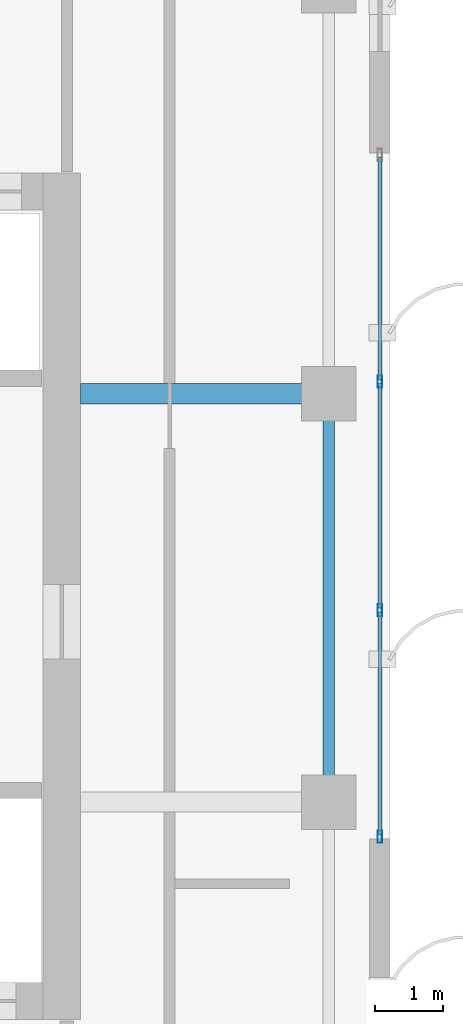
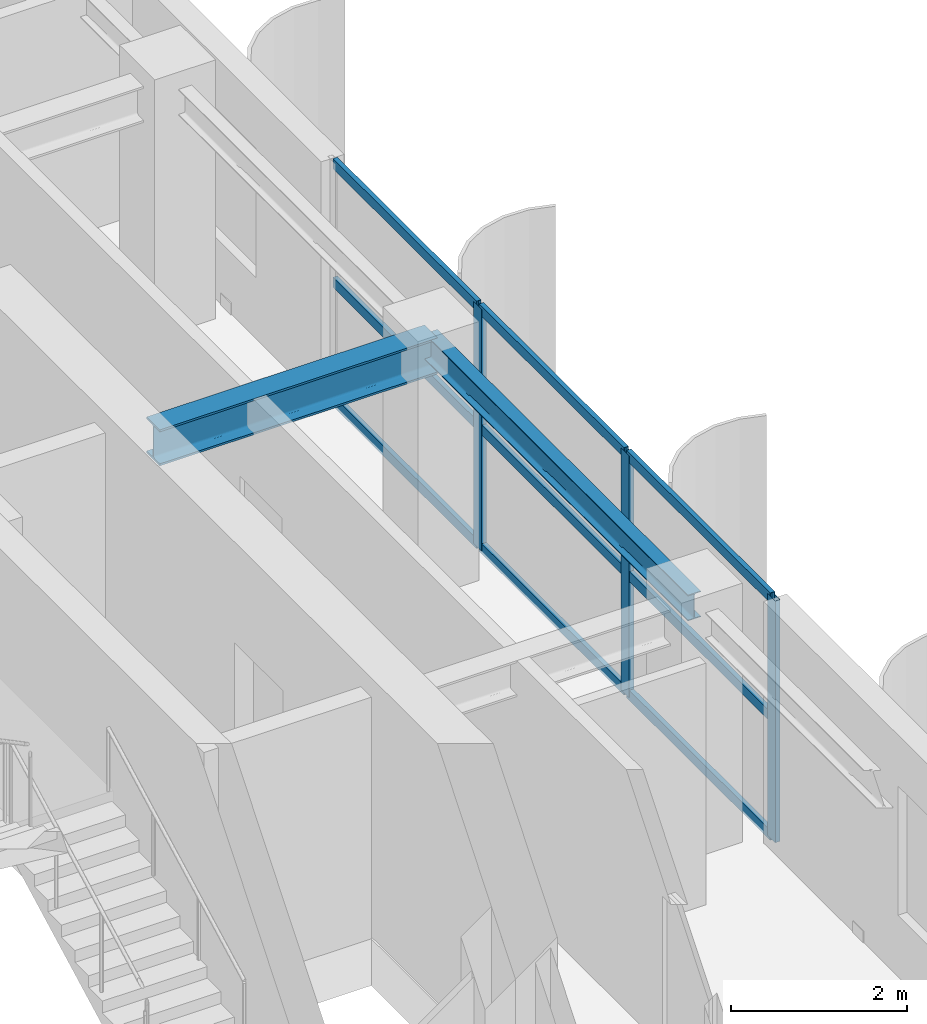
# One storey, part 12 of 24: 12 members, 2 beams, 1 element without a shape of its own.
"""IFC4 building model written with IfcOpenShell, lengths in metres."""

from ifc_helpers import new_model, si_unit, direction, frame, origin, origin_2d, place, context, subcontext, project, spatial, hollow_rectangle, i_section, extrude, source, transform, mapped, material, layer, layer_set, material_profile, profile_set, type_object, element, aggregate, save


model = new_model("IFC4")

# Units and contexts
model_context = context("Model", 3, precision=1e-05, world=origin(), true_north=direction((0.0, 1.0)))
body_context = subcontext(model_context, "Body", "Model", "MODEL_VIEW")
ifc_project = project(units=[si_unit("LENGTHUNIT", "METRE"), si_unit("AREAUNIT", "SQUARE_METRE"), si_unit("VOLUMEUNIT", "CUBIC_METRE"), si_unit("PLANEANGLEUNIT", "RADIAN"), si_unit("MASSUNIT", "GRAM", prefix="KILO")], contexts=[model_context])

# Site, building, storey
site_placement = place(None, origin())
site = spatial("IfcSite", under=ifc_project, at=site_placement, CompositionType="ELEMENT")
building_placement = place(site_placement, origin())
building = spatial("IfcBuilding", under=site, at=building_placement, Name="Khoralis Quay Care Tower", CompositionType="ELEMENT")
storey_placement = place(building_placement, frame((0.0, 0.0, 227.699951171875)))
storey = spatial("IfcBuildingStorey", under=building, at=storey_placement, Name="L59", CompositionType="ELEMENT", Elevation=227.699951171875)

# Beams
ifc_material_1 = material(Name="Steel S355", Category="steel")
ifc_material_profile_1 = material_profile(ifc_material_1, i_section(OverallWidth=0.169921875, OverallDepth=0.360107421875, WebThickness=0.008056640625, FlangeThickness=0.0126953125, FilletRadius=0.01806640625, at=origin_2d()), Name="Steel S355")
ifc_profile_set_1 = profile_set([ifc_material_profile_1], Name="Steel S355")
beam_type_1 = type_object("IfcBeamType", Name="BM-IPE360", PredefinedType="SPANDREL", material=ifc_profile_set_1)
shared_shape_1 = source(origin(), body_context, "Body", "SweptSolid", [
    extrude(i_section(OverallWidth=0.169921875, OverallDepth=0.360107421875, WebThickness=0.008056640625, FlangeThickness=0.0126953125, FilletRadius=0.01806640625, at=origin_2d()), origin(), (0.0, 0.0, 1.0), 6.0),
])
beam_1_placement = place(storey_placement, frame((41.10009765625, 18.0, 3.179931640625), z_axis=(0.0, 1.0, 0.0), x_axis=(-1.0, 0.0, 0.0)))
element("IfcBeam", 1, at=beam_1_placement, inside=storey, type_object=beam_type_1, Name="BM-TSP-L59-10", PredefinedType="SPANDREL", context=body_context, shape_type="MappedRepresentation", body=[
    mapped(shared_shape_1, transform((0.0, 0.0, 0.0), scale=1.0)),
])
ifc_material_profile_2 = material_profile(ifc_material_1, i_section(OverallWidth=0.300048828125, OverallDepth=0.5, WebThickness=0.014404296875, FlangeThickness=0.028076171875, FilletRadius=0.027099609375, at=origin_2d()), Name="Steel S355")
ifc_profile_set_2 = profile_set([ifc_material_profile_2], Name="Steel S355")
beam_type_2 = type_object("IfcBeamType", Name="BM-HEB500", PredefinedType="BEAM", material=ifc_profile_set_2)
shared_shape_2 = source(origin(), body_context, "Body", "SweptSolid", [
    extrude(i_section(OverallWidth=0.300048828125, OverallDepth=0.5, WebThickness=0.014404296875, FlangeThickness=0.028076171875, FilletRadius=0.027099609375, at=origin_2d()), origin(), (0.0, 0.0, 1.0), 3.652099609375),
])
beam_2_placement = place(storey_placement, frame((37.447998046875, 24.0, 3.110107421875), z_axis=(1.0, 0.0, 0.0), x_axis=(0.0, 1.0, 0.0)))
element("IfcBeam", 2, at=beam_2_placement, inside=storey, type_object=beam_type_2, Name="BM-TGXE-L59-240", PredefinedType="BEAM", context=body_context, shape_type="MappedRepresentation", body=[
    mapped(shared_shape_2, transform((0.0, 0.0, 0.0), scale=1.0)),
])

# Curtain wall, members
ifc_material_2 = material(Name="Pale anodised aluminium", Category="aluminium")
ifc_layer = layer(ifc_material_2, 0.159912109375)
ifc_layer_set = layer_set([ifc_layer], Name="Pale anodised aluminium")
curtain_wall_type = type_object("IfcCurtainWallType", Name="CW-SYS-Z3", PredefinedType="NOTDEFINED", material=ifc_layer_set)
curtain_wall_placement = place(storey_placement, origin())
curtain_wall = element("IfcCurtainWall", 3, at=curtain_wall_placement, inside=storey, type_object=curtain_wall_type, Name="L59 Unitised Curtain Wall CW-L59-P2-E5", PredefinedType="NOTDEFINED")
ifc_material_profile_3 = material_profile(ifc_material_2, hollow_rectangle(XDim=0.06494140625, YDim=0.179931640625, WallThickness=0.00390625, at=origin_2d()), Name="Pale anodised aluminium")
ifc_profile_set_3 = profile_set([ifc_material_profile_3], Name="Pale anodised aluminium")
member_type_1 = type_object("IfcMemberType", Name="CW-MUL-180", PredefinedType="MULLION", material=ifc_profile_set_3)
shared_shape_3 = source(origin(), body_context, "Body", "SweptSolid", [
    extrude(hollow_rectangle(XDim=0.06494140625, YDim=0.179931640625, WallThickness=0.00390625, at=origin_2d()), origin(), (0.0, 0.0, 1.0), 3.360107421875),
])
member_1_placement = place(storey_placement, frame((41.85009765625, 17.489990234375, 0.0), z_axis=(0.0, 0.0, 1.0), x_axis=(-1.0, 0.0, 0.0)))
member_1 = element("IfcMember", 4, at=member_1_placement, type_object=member_type_1, Name="CW3 mullion 1", PredefinedType="MULLION", context=body_context, shape_type="MappedRepresentation", body=[
    mapped(shared_shape_3, transform((0.0, 0.0, 0.0), scale=1.0)),
])
member_2_placement = place(storey_placement, frame((41.85009765625, 20.820068359375, 0.0), z_axis=(0.0, 0.0, 1.0), x_axis=(-1.0, 0.0, 0.0)))
member_2 = element("IfcMember", 5, at=member_2_placement, type_object=member_type_1, Name="CW3 mullion 2", PredefinedType="MULLION", context=body_context, shape_type="MappedRepresentation", body=[
    mapped(shared_shape_3, transform((0.0, 0.0, 0.0), scale=1.0)),
])
member_3_placement = place(storey_placement, frame((41.85009765625, 24.179931640625, 0.0), z_axis=(0.0, 0.0, 1.0), x_axis=(-1.0, 0.0, 0.0)))
member_3 = element("IfcMember", 6, at=member_3_placement, type_object=member_type_1, Name="CW3 mullion 3", PredefinedType="MULLION", context=body_context, shape_type="MappedRepresentation", body=[
    mapped(shared_shape_3, transform((0.0, 0.0, 0.0), scale=1.0)),
])
ifc_material_profile_4 = material_profile(ifc_material_2, hollow_rectangle(XDim=0.06005859375, YDim=0.139892578125, WallThickness=0.00390625, at=origin_2d()), Name="Pale anodised aluminium")
ifc_profile_set_4 = profile_set([ifc_material_profile_4], Name="Pale anodised aluminium")
member_type_2 = type_object("IfcMemberType", Name="CW-TRN-140", PredefinedType="USERDEFINED", material=ifc_profile_set_4)
shared_shape_4 = source(origin(), body_context, "Body", "SweptSolid", [
    extrude(hollow_rectangle(XDim=0.06005859375, YDim=0.139892578125, WallThickness=0.00390625, at=origin_2d()), origin(), (0.0, 0.0, 1.0), 3.27001953125),
])
member_4_placement = place(storey_placement, frame((41.85009765625, 17.52001953125, 0.030029296875), z_axis=(0.0, 1.0, 0.0), x_axis=(-1.0, 0.0, 0.0)))
member_4 = element("IfcMember", 7, at=member_4_placement, type_object=member_type_2, Name="CW3 transom 1.1", ObjectType="TRANSOM", PredefinedType="USERDEFINED", context=body_context, shape_type="MappedRepresentation", body=[
    mapped(shared_shape_4, transform((0.0, 0.0, 0.0), scale=1.0)),
])
member_5_placement = place(storey_placement, frame((41.85009765625, 17.52001953125, 1.679931640625), z_axis=(0.0, 1.0, 0.0), x_axis=(-1.0, 0.0, 0.0)))
member_5 = element("IfcMember", 8, at=member_5_placement, type_object=member_type_2, Name="CW3 transom 1.2", ObjectType="TRANSOM", PredefinedType="USERDEFINED", context=body_context, shape_type="MappedRepresentation", body=[
    mapped(shared_shape_4, transform((0.0, 0.0, 0.0), scale=1.0)),
])
member_6_placement = place(storey_placement, frame((41.85009765625, 17.52001953125, 3.330078125), z_axis=(0.0, 1.0, 0.0), x_axis=(-1.0, 0.0, 0.0)))
member_6 = element("IfcMember", 9, at=member_6_placement, type_object=member_type_2, Name="CW3 transom 1.3", ObjectType="TRANSOM", PredefinedType="USERDEFINED", context=body_context, shape_type="MappedRepresentation", body=[
    mapped(shared_shape_4, transform((0.0, 0.0, 0.0), scale=1.0)),
])
member_7_placement = place(storey_placement, frame((41.85009765625, 24.2099609375, 0.030029296875), z_axis=(0.0, 1.0, 0.0), x_axis=(-1.0, 0.0, 0.0)))
member_7 = element("IfcMember", 10, at=member_7_placement, type_object=member_type_2, Name="CW3 transom 3.1", ObjectType="TRANSOM", PredefinedType="USERDEFINED", context=body_context, shape_type="MappedRepresentation", body=[
    mapped(shared_shape_4, transform((0.0, 0.0, 0.0), scale=1.0)),
])
member_8_placement = place(storey_placement, frame((41.85009765625, 24.2099609375, 1.679931640625), z_axis=(0.0, 1.0, 0.0), x_axis=(-1.0, 0.0, 0.0)))
member_8 = element("IfcMember", 11, at=member_8_placement, type_object=member_type_2, Name="CW3 transom 3.2", ObjectType="TRANSOM", PredefinedType="USERDEFINED", context=body_context, shape_type="MappedRepresentation", body=[
    mapped(shared_shape_4, transform((0.0, 0.0, 0.0), scale=1.0)),
])
member_9_placement = place(storey_placement, frame((41.85009765625, 24.2099609375, 3.330078125), z_axis=(0.0, 1.0, 0.0), x_axis=(-1.0, 0.0, 0.0)))
member_9 = element("IfcMember", 12, at=member_9_placement, type_object=member_type_2, Name="CW3 transom 3.3", ObjectType="TRANSOM", PredefinedType="USERDEFINED", context=body_context, shape_type="MappedRepresentation", body=[
    mapped(shared_shape_4, transform((0.0, 0.0, 0.0), scale=1.0)),
])
shared_shape_5 = source(origin(), body_context, "Body", "SweptSolid", [
    extrude(hollow_rectangle(XDim=0.06005859375, YDim=0.139892578125, WallThickness=0.00390625, at=origin_2d()), origin(), (0.0, 0.0, 1.0), 3.2998046875),
])
member_10_placement = place(storey_placement, frame((41.85009765625, 20.85009765625, 0.030029296875), z_axis=(0.0, 1.0, 0.0), x_axis=(-1.0, 0.0, 0.0)))
member_10 = element("IfcMember", 13, at=member_10_placement, type_object=member_type_2, Name="CW3 transom 2.1", ObjectType="TRANSOM", PredefinedType="USERDEFINED", context=body_context, shape_type="MappedRepresentation", body=[
    mapped(shared_shape_5, transform((0.0, 0.0, 0.0), scale=1.0)),
])
member_11_placement = place(storey_placement, frame((41.85009765625, 20.85009765625, 1.679931640625), z_axis=(0.0, 1.0, 0.0), x_axis=(-1.0, 0.0, 0.0)))
member_11 = element("IfcMember", 14, at=member_11_placement, type_object=member_type_2, Name="CW3 transom 2.2", ObjectType="TRANSOM", PredefinedType="USERDEFINED", context=body_context, shape_type="MappedRepresentation", body=[
    mapped(shared_shape_5, transform((0.0, 0.0, 0.0), scale=1.0)),
])
member_12_placement = place(storey_placement, frame((41.85009765625, 20.85009765625, 3.330078125), z_axis=(0.0, 1.0, 0.0), x_axis=(-1.0, 0.0, 0.0)))
member_12 = element("IfcMember", 15, at=member_12_placement, type_object=member_type_2, Name="CW3 transom 2.3", ObjectType="TRANSOM", PredefinedType="USERDEFINED", context=body_context, shape_type="MappedRepresentation", body=[
    mapped(shared_shape_5, transform((0.0, 0.0, 0.0), scale=1.0)),
])
aggregate(curtain_wall, [member_1, member_2, member_3, member_4, member_5, member_6, member_10, member_11, member_12, member_7, member_8, member_9])

save(model, "model.ifc")
